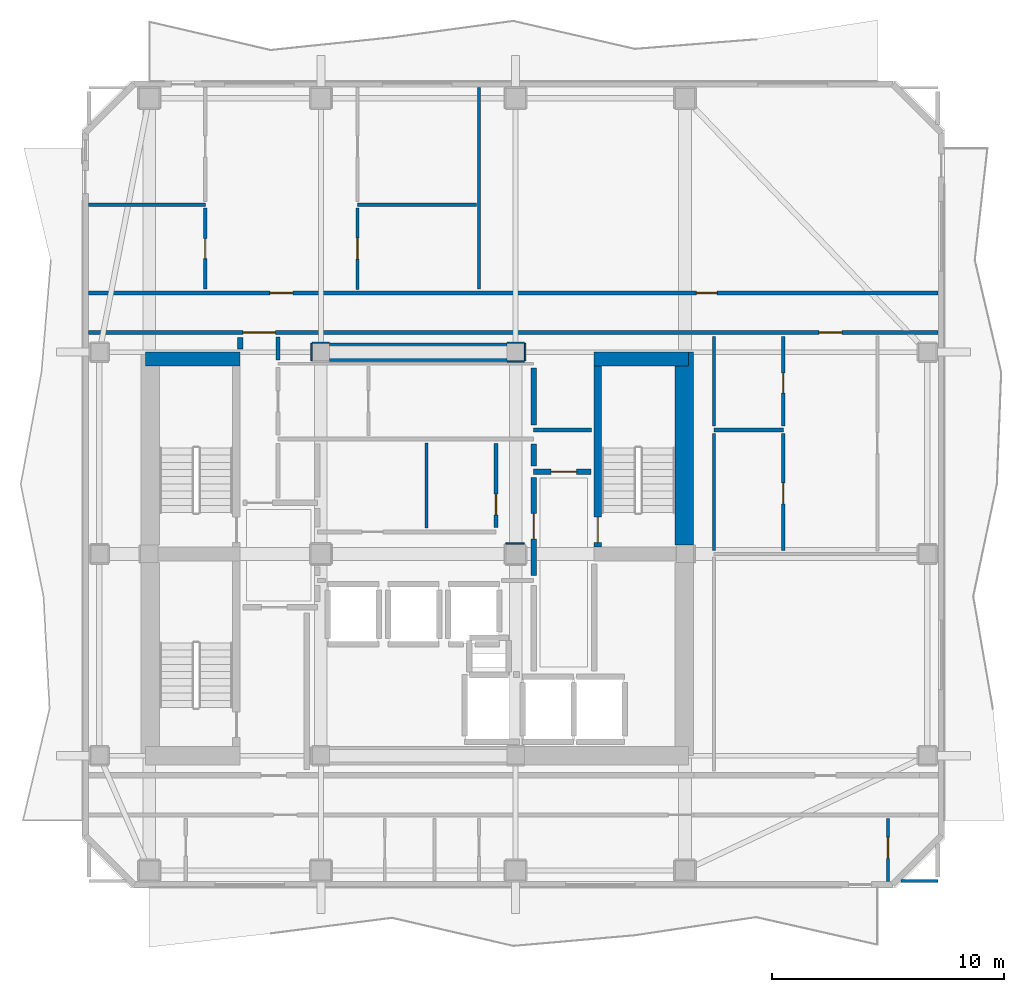
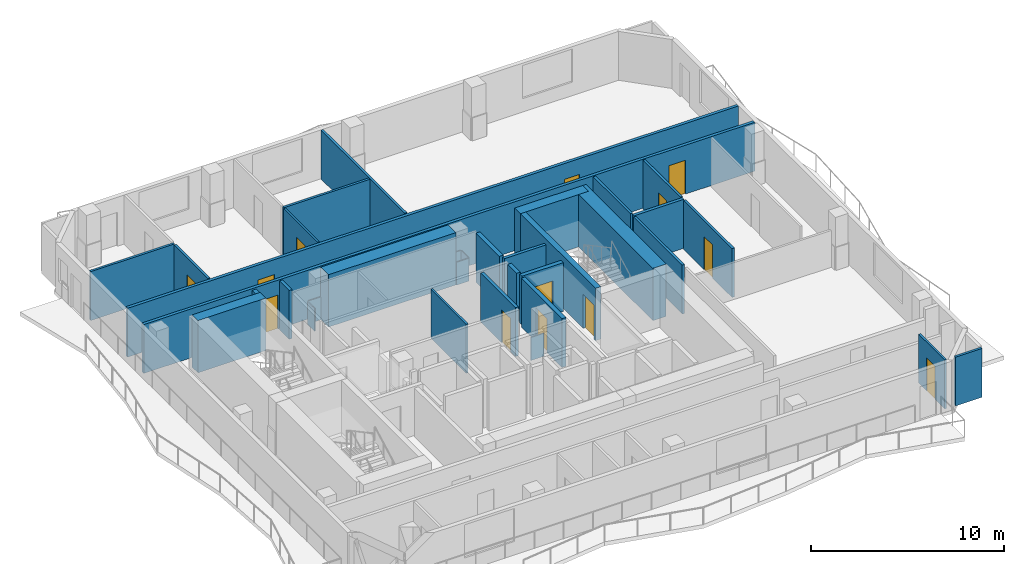
# One storey, part 4 of 9: 34 walls, 13 doors, 13 openings.
"""IFC4 building model written with IfcOpenShell, lengths in metres."""

from ifc_helpers import new_model, si_unit, direction, frame, frame_2d, origin, place, context, subcontext, project, spatial, rectangle, extrude, material, layer, layer_set, type_object, element, fill, save


model = new_model("IFC4")

# Units and contexts
model_context = context("Model", 3, precision=1e-05, world=origin(), true_north=direction((0.0, 1.0)))
body_context = subcontext(model_context, "Body", "Model", "MODEL_VIEW")
ifc_project = project(units=[si_unit("LENGTHUNIT", "METRE"), si_unit("AREAUNIT", "SQUARE_METRE"), si_unit("VOLUMEUNIT", "CUBIC_METRE"), si_unit("PLANEANGLEUNIT", "RADIAN"), si_unit("MASSUNIT", "GRAM", prefix="KILO")], contexts=[model_context])

# Site, building, storey
site_placement = place(None, origin())
site = spatial("IfcSite", under=ifc_project, at=site_placement, CompositionType="ELEMENT")
building_placement = place(site_placement, origin())
building = spatial("IfcBuilding", under=site, at=building_placement, Name="Solanera Arch Residences", CompositionType="ELEMENT")
storey_placement = place(building_placement, frame((0.0, 0.0, 241.239990234375)))
storey = spatial("IfcBuildingStorey", under=building, at=storey_placement, Name="L70", CompositionType="ELEMENT", Elevation=241.239990234375)

# Walls
ifc_material_1 = material(Name="Fire-Rated Gypsum Stud Partition", Category="gypsum")
ifc_layer_1 = layer(ifc_material_1, 0.06005859375)
ifc_layer_set_1 = layer_set([ifc_layer_1], Name="Fire-Rated Gypsum Stud Partition")
wall_type_1 = type_object("IfcWallType", Name="Column Acoustic Furring Wall 60", PredefinedType="PARTITIONING", material=ifc_layer_set_1)
wall_1_placement = place(storey_placement, frame((20.425048828125, 39.806884765625, 0.0), z_axis=(0.0, 0.0, 1.0), x_axis=(1.0, 0.0, 0.0)))
element("IfcWall", 1, at=wall_1_placement, inside=storey, type_object=wall_type_1, Name="L70 Column Furring 3N", PredefinedType="PARTITIONING", context=body_context, shape_type="SweptSolid", body=[
    extrude(rectangle(XDim=0.741943359375, YDim=0.06005859375, at=frame_2d((0.37109375, 0.0))), origin(), (0.0, 0.0, 1.0), 1.449951171875),
])
wall_2_placement = place(storey_placement, frame((20.39306640625, 39.02490234375, 0.0), z_axis=(0.0, 0.0, 1.0), x_axis=(0.0, 1.0, 0.0)))
element("IfcWall", 2, at=wall_2_placement, inside=storey, type_object=wall_type_1, Name="L70 Column Furring 3W", PredefinedType="PARTITIONING", context=body_context, shape_type="SweptSolid", body=[
    extrude(rectangle(XDim=0.75, YDim=0.06005859375, at=frame_2d((0.375, 0.0))), origin(), (0.0, 0.0, 1.0), 1.449951171875),
])
for number, where, z_axis, x_axis, name in (
    (3, (28.8330078125, 38.992919921875, 0.0), (0.0, 0.0, 1.0), (1.0, 0.0, 0.0), "L70 Column Furring 4S"),
    (4, (28.8330078125, 39.806884765625, 0.0), (0.0, 0.0, 1.0), (1.0, 0.0, 0.0), "L70 Column Furring 4N"),
):
    element("IfcWall", number, at=place(storey_placement, frame(where, z_axis=z_axis, x_axis=x_axis)), inside=storey, type_object=wall_type_1, Name=name, PredefinedType="PARTITIONING", context=body_context, shape_type="SweptSolid", body=[
        extrude(rectangle(XDim=0.741943359375, YDim=0.06005859375, at=frame_2d((0.37109375, 0.0))), origin(), (0.0, 0.0, 1.0), 1.449951171875),
    ])
wall_3_placement = place(storey_placement, frame((29.60693359375, 39.02490234375, 0.0), z_axis=(0.0, 0.0, 1.0), x_axis=(0.0, 1.0, 0.0)))
element("IfcWall", 5, at=wall_3_placement, inside=storey, type_object=wall_type_1, Name="L70 Column Furring 4E", PredefinedType="PARTITIONING", context=body_context, shape_type="SweptSolid", body=[
    extrude(rectangle(XDim=0.75, YDim=0.06005859375, at=frame_2d((0.375, 0.0))), origin(), (0.0, 0.0, 1.0), 1.449951171875),
])
wall_4_placement = place(storey_placement, frame((28.77490234375, 31.156982421875, 0.0), z_axis=(0.0, 0.0, 1.0), x_axis=(1.0, 0.0, 0.0)))
element("IfcWall", 6, at=wall_4_placement, inside=storey, type_object=wall_type_1, Name="L70 Column Furring 8N", PredefinedType="PARTITIONING", context=body_context, shape_type="SweptSolid", body=[
    extrude(rectangle(XDim=0.794189453125, YDim=0.06005859375, at=frame_2d((0.39697265625, 0.0))), origin(), (0.0, 0.0, 1.0), 1.449951171875),
])

# Wall, opening, door
ifc_material_2 = material(Name="Concrete C40/50 (f'c = 45 MPa)", Category="concrete")
ifc_layer_2 = layer(ifc_material_2, 0.320068359375)
ifc_layer_set_2 = layer_set([ifc_layer_2], Name="Concrete C40/50 (f'c = 45 MPa)")
wall_type_2 = type_object("IfcWallType", Name="Core Shear Wall CW-320", PredefinedType="SHEAR", material=ifc_layer_set_2)
wall_5_placement = place(storey_placement, frame((32.739990234375, 31.0, 0.0), z_axis=(0.0, 0.0, 1.0), x_axis=(0.0, 1.0, 0.0)))
wall_5 = element("IfcWall", 7, at=wall_5_placement, inside=storey, type_object=wall_type_2, Name="L70 Stair ST-T2 West Shear Wall", PredefinedType="SHEAR", context=body_context, shape_type="SweptSolid", body=[
    extrude(rectangle(XDim=7.800048828125, YDim=0.320068359375, at=frame_2d((3.89990234375, 0.0))), origin(), (0.0, 0.0, 1.0), 3.320068359375),
])
opening_1_placement = place(wall_5_placement, frame((0.18994140625, 0.0, 0.0)))
opening_1 = element("IfcOpeningElement", 8, at=opening_1_placement, cuts=wall_5, Name="Opening DF-01", PredefinedType="OPENING", context=body_context, shape_type="SweptSolid", body=[
    extrude(rectangle(XDim=1.10009765625, YDim=2.14990234375, at=frame_2d((0.550048828125, 1.074951171875))), frame((0.0, 0.169921875, 0.0), z_axis=(0.0, -1.0, 0.0), x_axis=(1.0, 0.0, 0.0)), (0.0, 0.0, 1.0), 0.3401),
])
ifc_material_3 = material(Name="Fire-Rated Architectural Hardwood", Category="wood")
door_type_1 = type_object("IfcDoorType", Name="Stair Exit Fire Door DF-01", OperationType="NOTDEFINED", PredefinedType="DOOR", material=ifc_material_3)
door_1_placement = place(opening_1_placement, origin())
door_1 = element("IfcDoor", 9, at=door_1_placement, inside=storey, type_object=door_type_1, Name="DR-L70-STAIR-ST-T2", OperationType="SINGLE_SWING_RIGHT", OverallHeight=2.14990234375, OverallWidth=1.10009765625, PredefinedType="DOOR", context=body_context, shape_type="SweptSolid", body=[
    extrude(rectangle(XDim=1.10009765625, YDim=2.14990234375, at=frame_2d((0.550048828125, 1.074951171875))), frame((0.0, 0.02490234375, 0.0), z_axis=(0.0, -1.0, 0.0), x_axis=(1.0, 0.0, 0.0)), (0.0, 0.0, 1.0), 0.050048828125),
])
fill(opening_1, door_1)

# Walls
ifc_material_4 = material(Name="Concrete C40/50 (f'c = 45 MPa)", Category="concrete")
ifc_layer_3 = layer(ifc_material_4, 0.60009765625)
ifc_layer_set_3 = layer_set([ifc_layer_3], Name="Concrete C40/50 (f'c = 45 MPa)")
wall_type_3 = type_object("IfcWallType", Name="Core Shear Wall CW-600", PredefinedType="SHEAR", material=ifc_layer_set_3)
wall_6_placement = place(storey_placement, frame((13.239990234375, 39.10009765625, 0.0), z_axis=(0.0, 0.0, 1.0), x_axis=(1.0, 0.0, 0.0)))
element("IfcWall", 10, at=wall_6_placement, inside=storey, type_object=wall_type_3, Name="L70 North-West Core Shear Wall", PredefinedType="SHEAR", context=body_context, shape_type="SweptSolid", body=[
    extrude(rectangle(XDim=4.080078125, YDim=0.60009765625, at=frame_2d((2.0400390625, 0.0))), origin(), (0.0, 0.0, 1.0), 3.320068359375),
])
wall_7_placement = place(storey_placement, frame((32.580078125, 39.10009765625, 0.0), z_axis=(0.0, 0.0, 1.0), x_axis=(1.0, 0.0, 0.0)))
element("IfcWall", 11, at=wall_7_placement, inside=storey, type_object=wall_type_3, Name="L70 North-East Core Shear Wall", PredefinedType="SHEAR", context=body_context, shape_type="SweptSolid", body=[
    extrude(rectangle(XDim=4.079833984375, YDim=0.60009765625, at=frame_2d((2.0400390625, 0.0))), origin(), (0.0, 0.0, 1.0), 3.320068359375),
])
ifc_material_5 = material(Name="Concrete C40/50 (f'c = 45 MPa)", Category="concrete")
ifc_layer_4 = layer(ifc_material_5, 0.800048828125)
ifc_layer_set_4 = layer_set([ifc_layer_4], Name="Concrete C40/50 (f'c = 45 MPa)")
wall_type_4 = type_object("IfcWallType", Name="Core Shear Wall CW-800", PredefinedType="SHEAR", material=ifc_layer_set_4)
wall_8_placement = place(storey_placement, frame((36.4599609375, 31.080078125, 0.0), z_axis=(0.0, 0.0, 1.0), x_axis=(0.0, 1.0, 0.0)))
element("IfcWall", 12, at=wall_8_placement, inside=storey, type_object=wall_type_4, Name="L70 East Core North Shear Wall", PredefinedType="SHEAR", context=body_context, shape_type="SweptSolid", body=[
    extrude(rectangle(XDim=8.31982421875, YDim=0.800048828125, at=frame_2d((4.159912109375, 0.0))), origin(), (0.0, 0.0, 1.0), 3.320068359375),
])
wall_9_placement = place(storey_placement, frame((21.179931640625, 39.39990234375, 0.0), z_axis=(0.0, 0.0, 1.0), x_axis=(1.0, 0.0, 0.0)))
element("IfcWall", 13, at=wall_9_placement, inside=storey, type_object=wall_type_4, Name="L70 Central North Core Shear Wall", PredefinedType="SHEAR", context=body_context, shape_type="SweptSolid", body=[
    extrude(rectangle(XDim=7.64013671875, YDim=0.800048828125, at=frame_2d((3.820068359375, 0.0))), origin(), (0.0, 0.0, 1.0), 3.320068359375),
])
ifc_material_6 = material(Name="Autoclaved Aerated Concrete Blockwork", Category="masonry")
ifc_layer_5 = layer(ifc_material_6, 0.179931640625)
ifc_layer_set_5 = layer_set([ifc_layer_5], Name="Autoclaved Aerated Concrete Blockwork")
wall_type_5 = type_object("IfcWallType", Name="Corridor Fire Partition 180", PredefinedType="PARTITIONING", material=ifc_layer_set_5)
wall_10_placement = place(storey_placement, frame((29.97509765625, 36.050048828125, 0.0), z_axis=(0.0, 0.0, 1.0), x_axis=(1.0, 0.0, 0.0)))
element("IfcWall", 14, at=wall_10_placement, inside=storey, type_object=wall_type_5, Name="L70 Interior Partition H10", PredefinedType="PARTITIONING", context=body_context, shape_type="SweptSolid", body=[
    extrude(rectangle(XDim=2.5048828125, YDim=0.179931640625, at=frame_2d((1.25244140625, 0.0))), origin(), (0.0, 0.0, 1.0), 3.10009765625),
])
wall_11_placement = place(storey_placement, frame((37.75, 36.050048828125, 0.0), z_axis=(0.0, 0.0, 1.0), x_axis=(1.0, 0.0, 0.0)))
element("IfcWall", 15, at=wall_11_placement, inside=storey, type_object=wall_type_5, Name="L70 Interior Partition H11", PredefinedType="PARTITIONING", context=body_context, shape_type="SweptSolid", body=[
    extrude(rectangle(XDim=2.991943359375, YDim=0.179931640625, at=frame_2d((1.49609375, 0.0))), origin(), (0.0, 0.0, 1.0), 3.10009765625),
])

# Wall, openings, doors
wall_12_placement = place(storey_placement, frame((10.787109375, 40.25, 0.0), z_axis=(0.0, 0.0, 1.0), x_axis=(1.0, 0.0, 0.0)))
wall_12 = element("IfcWall", 16, at=wall_12_placement, inside=storey, type_object=wall_type_5, Name="L70 Interior Partition H12", PredefinedType="PARTITIONING", context=body_context, shape_type="SweptSolid", body=[
    extrude(rectangle(XDim=36.6259765625, YDim=0.179931640625, at=frame_2d((18.31298828125, 0.0))), origin(), (0.0, 0.0, 1.0), 3.10009765625),
])
opening_2_placement = place(wall_12_placement, frame((6.64794921875, 0.0, 0.0)))
opening_2 = element("IfcOpeningElement", 17, at=opening_2_placement, cuts=wall_12, Name="Opening DF-03", PredefinedType="OPENING", context=body_context, shape_type="SweptSolid", body=[
    extrude(rectangle(XDim=1.39990234375, YDim=2.14990234375, at=frame_2d((0.699951171875, 1.074951171875))), frame((0.0, 0.10009765625, 0.0), z_axis=(0.0, -1.0, 0.0), x_axis=(1.0, 0.0, 0.0)), (0.0, 0.0, 1.0), 0.1999),
])
opening_3_placement = place(wall_12_placement, frame((31.48193359375, 0.0, 0.0)))
opening_3 = element("IfcOpeningElement", 18, at=opening_3_placement, cuts=wall_12, Name="Opening DI-01", PredefinedType="OPENING", context=body_context, shape_type="SweptSolid", body=[
    extrude(rectangle(XDim=1.0, YDim=2.14990234375, at=frame_2d((0.5, 1.074951171875))), frame((0.0, 0.10009765625, 0.0), z_axis=(0.0, -1.0, 0.0), x_axis=(1.0, 0.0, 0.0)), (0.0, 0.0, 1.0), 0.1999),
])
ifc_material_7 = material(Name="Fire-Rated Architectural Hardwood", Category="wood")
door_type_2 = type_object("IfcDoorType", Name="Corridor Smoke Door DF-03", OperationType="NOTDEFINED", PredefinedType="DOOR", material=ifc_material_7)
door_2_placement = place(opening_2_placement, origin())
door_2 = element("IfcDoor", 19, at=door_2_placement, inside=storey, type_object=door_type_2, Name="DR-L70-IN-009", OperationType="SINGLE_SWING_LEFT", OverallHeight=2.14990234375, OverallWidth=1.39990234375, PredefinedType="DOOR", context=body_context, shape_type="SweptSolid", body=[
    extrude(rectangle(XDim=1.39990234375, YDim=2.14990234375, at=frame_2d((0.699951171875, 1.074951171875))), frame((0.0, 0.02490234375, 0.0), z_axis=(0.0, -1.0, 0.0), x_axis=(1.0, 0.0, 0.0)), (0.0, 0.0, 1.0), 0.050048828125),
])
fill(opening_2, door_2)
ifc_material_8 = material(Name="Fire-Rated Architectural Hardwood", Category="wood")
door_type_3 = type_object("IfcDoorType", Name="Unit Entrance Fire Door DI-01", OperationType="NOTDEFINED", PredefinedType="DOOR", material=ifc_material_8)
door_3_placement = place(opening_3_placement, origin())
door_3 = element("IfcDoor", 20, at=door_3_placement, inside=storey, type_object=door_type_3, Name="DR-L70-IN-027", OperationType="SINGLE_SWING_LEFT", OverallHeight=2.14990234375, OverallWidth=1.0, PredefinedType="DOOR", context=body_context, shape_type="SweptSolid", body=[
    extrude(rectangle(XDim=1.0, YDim=2.14990234375, at=frame_2d((0.5, 1.074951171875))), frame((0.0, 0.02490234375, 0.0), z_axis=(0.0, -1.0, 0.0), x_axis=(1.0, 0.0, 0.0)), (0.0, 0.0, 1.0), 0.050048828125),
])
fill(opening_3, door_3)

wall_13_placement = place(storey_placement, frame((10.787109375, 41.949951171875, 0.0), z_axis=(0.0, 0.0, 1.0), x_axis=(1.0, 0.0, 0.0)))
wall_13 = element("IfcWall", 21, at=wall_13_placement, inside=storey, type_object=wall_type_5, Name="L70 Interior Partition H13", PredefinedType="PARTITIONING", context=body_context, shape_type="SweptSolid", body=[
    extrude(rectangle(XDim=36.6259765625, YDim=0.179931640625, at=frame_2d((18.31298828125, 0.0))), origin(), (0.0, 0.0, 1.0), 3.10009765625),
])
opening_4_placement = place(wall_13_placement, frame((7.81103515625, 0.0, 0.0)))
opening_4 = element("IfcOpeningElement", 22, at=opening_4_placement, cuts=wall_13, Name="Opening DI-01", PredefinedType="OPENING", context=body_context, shape_type="SweptSolid", body=[
    extrude(rectangle(XDim=1.0, YDim=2.14990234375, at=frame_2d((0.5, 1.074951171875))), frame((0.0, 0.10009765625, 0.0), z_axis=(0.0, -1.0, 0.0), x_axis=(1.0, 0.0, 0.0)), (0.0, 0.0, 1.0), 0.1999),
])
opening_5_placement = place(wall_13_placement, frame((26.198974609375, 0.0, 0.0)))
opening_5 = element("IfcOpeningElement", 23, at=opening_5_placement, cuts=wall_13, Name="Opening DI-02", PredefinedType="OPENING", context=body_context, shape_type="SweptSolid", body=[
    extrude(rectangle(XDim=0.89990234375, YDim=2.10009765625, at=frame_2d((0.449951171875, 1.050048828125))), frame((0.0, 0.10009765625, 0.0), z_axis=(0.0, -1.0, 0.0), x_axis=(1.0, 0.0, 0.0)), (0.0, 0.0, 1.0), 0.1999),
])
ifc_material_9 = material(Name="Fire-Rated Architectural Hardwood", Category="wood")
door_type_4 = type_object("IfcDoorType", Name="Suite Room Swing Door DI-02", OperationType="NOTDEFINED", PredefinedType="DOOR", material=ifc_material_9)
door_4_placement = place(opening_5_placement, origin())
door_4 = element("IfcDoor", 24, at=door_4_placement, inside=storey, type_object=door_type_4, Name="DR-L70-IN-025", OperationType="SINGLE_SWING_LEFT", OverallHeight=2.10009765625, OverallWidth=0.89990234375, PredefinedType="DOOR", context=body_context, shape_type="SweptSolid", body=[
    extrude(rectangle(XDim=0.89990234375, YDim=2.10009765625, at=frame_2d((0.449951171875, 1.050048828125))), frame((0.0, 0.02490234375, 0.0), z_axis=(0.0, -1.0, 0.0), x_axis=(1.0, 0.0, 0.0)), (0.0, 0.0, 1.0), 0.050048828125),
])
fill(opening_5, door_4)
door_5_placement = place(opening_4_placement, origin())
door_5 = element("IfcDoor", 25, at=door_5_placement, inside=storey, type_object=door_type_3, Name="DR-L70-IN-020", OperationType="SINGLE_SWING_RIGHT", OverallHeight=2.14990234375, OverallWidth=1.0, PredefinedType="DOOR", context=body_context, shape_type="SweptSolid", body=[
    extrude(rectangle(XDim=1.0, YDim=2.14990234375, at=frame_2d((0.5, 1.074951171875))), frame((0.0, 0.02490234375, 0.0), z_axis=(0.0, -1.0, 0.0), x_axis=(1.0, 0.0, 0.0)), (0.0, 0.0, 1.0), 0.050048828125),
])
fill(opening_4, door_5)

# Wall
wall_14_placement = place(storey_placement, frame((18.949951171875, 39.05810546875, 0.0), z_axis=(0.0, 0.0, 1.0), x_axis=(0.0, 1.0, 0.0)))
element("IfcWall", 26, at=wall_14_placement, inside=storey, type_object=wall_type_5, Name="L70 Interior Partition V8 3", PredefinedType="PARTITIONING", context=body_context, shape_type="SweptSolid", body=[
    extrude(rectangle(XDim=1.00390625, YDim=0.179931640625, at=frame_2d((0.501953125, 0.0))), origin(), (0.0, 0.0, 1.0), 3.10009765625),
])

# Wall, opening, door
wall_15_placement = place(storey_placement, frame((28.35009765625, 31.837890625, 0.0), z_axis=(0.0, 0.0, 1.0), x_axis=(0.0, 1.0, 0.0)))
wall_15 = element("IfcWall", 27, at=wall_15_placement, inside=storey, type_object=wall_type_5, Name="L70 Interior Partition V9", PredefinedType="PARTITIONING", context=body_context, shape_type="SweptSolid", body=[
    extrude(rectangle(XDim=3.6240234375, YDim=0.179931640625, at=frame_2d((1.81201171875, 0.0))), origin(), (0.0, 0.0, 1.0), 3.10009765625),
])
opening_6_placement = place(wall_15_placement, frame((0.541015625, 0.0, 0.0)))
opening_6 = element("IfcOpeningElement", 28, at=opening_6_placement, cuts=wall_15, Name="Opening DI-02", PredefinedType="OPENING", context=body_context, shape_type="SweptSolid", body=[
    extrude(rectangle(XDim=0.89990234375, YDim=2.10009765625, at=frame_2d((0.449951171875, 1.050048828125))), frame((0.0, 0.10009765625, 0.0), z_axis=(0.0, -1.0, 0.0), x_axis=(1.0, 0.0, 0.0)), (0.0, 0.0, 1.0), 0.1999),
])
door_6_placement = place(opening_6_placement, origin())
door_6 = element("IfcDoor", 29, at=door_6_placement, inside=storey, type_object=door_type_4, Name="DR-L70-IN-013", OperationType="SINGLE_SWING_LEFT", OverallHeight=2.10009765625, OverallWidth=0.89990234375, PredefinedType="DOOR", context=body_context, shape_type="SweptSolid", body=[
    extrude(rectangle(XDim=0.89990234375, YDim=2.10009765625, at=frame_2d((0.449951171875, 1.050048828125))), frame((0.0, 0.02490234375, 0.0), z_axis=(0.0, -1.0, 0.0), x_axis=(1.0, 0.0, 0.0)), (0.0, 0.0, 1.0), 0.050048828125),
])
fill(opening_6, door_6)

ifc_material_10 = material(Name="Autoclaved Aerated Concrete Blockwork", Category="masonry")
ifc_layer_6 = layer(ifc_material_10, 0.239990234375)
ifc_layer_set_6 = layer_set([ifc_layer_6], Name="Autoclaved Aerated Concrete Blockwork")
wall_type_6 = type_object("IfcWallType", Name="Shaft Wall Fire-Rated 240", PredefinedType="PARTITIONING", material=ifc_layer_set_6)
wall_16_placement = place(storey_placement, frame((29.97509765625, 34.25, 0.0), z_axis=(0.0, 0.0, 1.0), x_axis=(1.0, 0.0, 0.0)))
wall_16 = element("IfcWall", 30, at=wall_16_placement, inside=storey, type_object=wall_type_6, Name="L70 Interior Partition H5", PredefinedType="PARTITIONING", context=body_context, shape_type="SweptSolid", body=[
    extrude(rectangle(XDim=2.474853515625, YDim=0.239990234375, at=frame_2d((1.2373046875, 0.0))), origin(), (0.0, 0.0, 1.0), 3.10009765625),
])
opening_7_placement = place(wall_16_placement, frame((0.751953125, 0.0, 0.0)))
opening_7 = element("IfcOpeningElement", 31, at=opening_7_placement, cuts=wall_16, Name="Opening DF-02", PredefinedType="OPENING", context=body_context, shape_type="SweptSolid", body=[
    extrude(rectangle(XDim=1.10009765625, YDim=2.14990234375, at=frame_2d((0.550048828125, 1.074951171875))), frame((0.0, 0.1298828125, 0.0), z_axis=(0.0, -1.0, 0.0), x_axis=(1.0, 0.0, 0.0)), (0.0, 0.0, 1.0), 0.26),
])
ifc_material_11 = material(Name="Fire-Rated Architectural Hardwood", Category="wood")
door_type_5 = type_object("IfcDoorType", Name="Firefighting Lobby Fire Door DF-02", OperationType="NOTDEFINED", PredefinedType="DOOR", material=ifc_material_11)
door_7_placement = place(opening_7_placement, origin())
door_7 = element("IfcDoor", 32, at=door_7_placement, inside=storey, type_object=door_type_5, Name="DR-L70-IN-007", OperationType="SINGLE_SWING_LEFT", OverallHeight=2.14990234375, OverallWidth=1.10009765625, PredefinedType="DOOR", context=body_context, shape_type="SweptSolid", body=[
    extrude(rectangle(XDim=1.10009765625, YDim=2.14990234375, at=frame_2d((0.550048828125, 1.074951171875))), frame((0.0, 0.02490234375, 0.0), z_axis=(0.0, -1.0, 0.0), x_axis=(1.0, 0.0, 0.0)), (0.0, 0.0, 1.0), 0.050048828125),
])
fill(opening_7, door_7)

# Wall
wall_17_placement = place(storey_placement, frame((17.320068359375, 39.530029296875, 0.0), z_axis=(0.0, 0.0, 1.0), x_axis=(0.0, 1.0, 0.0)))
element("IfcWall", 33, at=wall_17_placement, inside=storey, type_object=wall_type_6, Name="L70 Interior Partition V1", PredefinedType="PARTITIONING", context=body_context, shape_type="SweptSolid", body=[
    extrude(rectangle(XDim=0.501953125, YDim=0.239990234375, at=frame_2d((0.2509765625, 0.0))), origin(), (0.0, 0.0, 1.0), 3.10009765625),
])

# Wall, opening, door
wall_18_placement = place(storey_placement, frame((29.97509765625, 29.76806640625, 0.0), z_axis=(0.0, 0.0, 1.0), x_axis=(0.0, 1.0, 0.0)))
wall_18 = element("IfcWall", 34, at=wall_18_placement, inside=storey, type_object=wall_type_6, Name="L70 Interior Partition V4 2", PredefinedType="PARTITIONING", context=body_context, shape_type="SweptSolid", body=[
    extrude(rectangle(XDim=4.23388671875, YDim=0.239990234375, at=frame_2d((2.116943359375, 0.0))), origin(), (0.0, 0.0, 1.0), 3.10009765625),
])
opening_8_placement = place(wall_18_placement, frame((1.58203125, 0.0, 0.0)))
opening_8 = element("IfcOpeningElement", 35, at=opening_8_placement, cuts=wall_18, Name="Opening DF-02", PredefinedType="OPENING", context=body_context, shape_type="SweptSolid", body=[
    extrude(rectangle(XDim=1.10009765625, YDim=2.14990234375, at=frame_2d((0.550048828125, 1.074951171875))), frame((0.0, 0.1298828125, 0.0), z_axis=(0.0, -1.0, 0.0), x_axis=(1.0, 0.0, 0.0)), (0.0, 0.0, 1.0), 0.26),
])
door_8_placement = place(opening_8_placement, origin())
door_8 = element("IfcDoor", 36, at=door_8_placement, inside=storey, type_object=door_type_5, Name="DR-L70-IN-006", OperationType="SINGLE_SWING_RIGHT", OverallHeight=2.14990234375, OverallWidth=1.10009765625, PredefinedType="DOOR", context=body_context, shape_type="SweptSolid", body=[
    extrude(rectangle(XDim=1.10009765625, YDim=2.14990234375, at=frame_2d((0.550048828125, 1.074951171875))), frame((0.0, 0.02490234375, 0.0), z_axis=(0.0, -1.0, 0.0), x_axis=(1.0, 0.0, 0.0)), (0.0, 0.0, 1.0), 0.050048828125),
])
fill(opening_8, door_8)

# Walls
wall_19_placement = place(storey_placement, frame((29.97509765625, 34.498046875, 0.0), z_axis=(0.0, 0.0, 1.0), x_axis=(0.0, 1.0, 0.0)))
element("IfcWall", 37, at=wall_19_placement, inside=storey, type_object=wall_type_6, Name="L70 Interior Partition V4 3", PredefinedType="PARTITIONING", context=body_context, shape_type="SweptSolid", body=[
    extrude(rectangle(XDim=0.933837890625, YDim=0.239990234375, at=frame_2d((0.466796875, 0.0))), origin(), (0.0, 0.0, 1.0), 3.10009765625),
])
wall_20_placement = place(storey_placement, frame((29.97509765625, 36.26806640625, 0.0), z_axis=(0.0, 0.0, 1.0), x_axis=(0.0, 1.0, 0.0)))
element("IfcWall", 38, at=wall_20_placement, inside=storey, type_object=wall_type_6, Name="L70 Interior Partition V4 4", PredefinedType="PARTITIONING", context=body_context, shape_type="SweptSolid", body=[
    extrude(rectangle(XDim=2.44384765625, YDim=0.239990234375, at=frame_2d((1.221923828125, 0.0))), origin(), (0.0, 0.0, 1.0), 3.10009765625),
])

# Wall, opening, door
ifc_material_12 = material(Name="Fire-Rated Gypsum Stud Partition", Category="gypsum")
ifc_layer_7 = layer(ifc_material_12, 0.1201171875)
ifc_layer_set_7 = layer_set([ifc_layer_7], Name="Fire-Rated Gypsum Stud Partition")
wall_type_7 = type_object("IfcWallType", Name="Unit Drywall Partition 120", PredefinedType="PARTITIONING", material=ifc_layer_set_7)
wall_21_placement = place(storey_placement, frame((22.3798828125, 42.10791015625, 0.0), z_axis=(0.0, 0.0, 1.0), x_axis=(0.0, 1.0, 0.0)))
wall_21 = element("IfcWall", 39, at=wall_21_placement, inside=storey, type_object=wall_type_7, Name="L70 Interior Partition V18 1", PredefinedType="PARTITIONING", context=body_context, shape_type="SweptSolid", body=[
    extrude(rectangle(XDim=3.510009765625, YDim=0.1201171875, at=frame_2d((1.7548828125, 0.0))), origin(), (0.0, 0.0, 1.0), 3.10009765625),
])
opening_9_placement = place(wall_21_placement, frame((1.30810546875, 0.0, 0.0)))
opening_9 = element("IfcOpeningElement", 40, at=opening_9_placement, cuts=wall_21, Name="Opening DI-02", PredefinedType="OPENING", context=body_context, shape_type="SweptSolid", body=[
    extrude(rectangle(XDim=0.89990234375, YDim=2.10009765625, at=frame_2d((0.449951171875, 1.050048828125))), frame((0.0, 0.070068359375, 0.0), z_axis=(0.0, -1.0, 0.0), x_axis=(1.0, 0.0, 0.0)), (0.0, 0.0, 1.0), 0.1401),
])
door_9_placement = place(opening_9_placement, origin())
door_9 = element("IfcDoor", 41, at=door_9_placement, inside=storey, type_object=door_type_4, Name="DR-L70-IN-023", OperationType="SINGLE_SWING_LEFT", OverallHeight=2.10009765625, OverallWidth=0.89990234375, PredefinedType="DOOR", context=body_context, shape_type="SweptSolid", body=[
    extrude(rectangle(XDim=0.89990234375, YDim=2.10009765625, at=frame_2d((0.449951171875, 1.050048828125))), frame((0.0, 0.02490234375, 0.0), z_axis=(0.0, -1.0, 0.0), x_axis=(1.0, 0.0, 0.0)), (0.0, 0.0, 1.0), 0.050048828125),
])
fill(opening_9, door_9)

# Wall
wall_22_placement = place(storey_placement, frame((25.35009765625, 31.80810546875, 0.0), z_axis=(0.0, 0.0, 1.0), x_axis=(0.0, 1.0, 0.0)))
element("IfcWall", 42, at=wall_22_placement, inside=storey, type_object=wall_type_7, Name="L70 Interior Partition V21", PredefinedType="PARTITIONING", context=body_context, shape_type="SweptSolid", body=[
    extrude(rectangle(XDim=3.683837890625, YDim=0.1201171875, at=frame_2d((1.841796875, 0.0))), origin(), (0.0, 0.0, 1.0), 3.10009765625),
])

# Wall, opening, door
wall_23_placement = place(storey_placement, frame((45.25, 16.5869140625, 0.0), z_axis=(0.0, 0.0, 1.0), x_axis=(0.0, 1.0, 0.0)))
wall_23 = element("IfcWall", 43, at=wall_23_placement, inside=storey, type_object=wall_type_7, Name="L70 Interior Partition V23", PredefinedType="PARTITIONING", context=body_context, shape_type="SweptSolid", body=[
    extrude(rectangle(XDim=2.705078125, YDim=0.1201171875, at=frame_2d((1.3525390625, 0.0))), origin(), (0.0, 0.0, 1.0), 3.10009765625),
])
opening_10_placement = place(wall_23_placement, frame((0.988037109375, 0.0, 0.0)))
opening_10 = element("IfcOpeningElement", 44, at=opening_10_placement, cuts=wall_23, Name="Opening DI-02", PredefinedType="OPENING", context=body_context, shape_type="SweptSolid", body=[
    extrude(rectangle(XDim=0.89990234375, YDim=2.10009765625, at=frame_2d((0.449951171875, 1.050048828125))), frame((0.0, 0.070068359375, 0.0), z_axis=(0.0, -1.0, 0.0), x_axis=(1.0, 0.0, 0.0)), (0.0, 0.0, 1.0), 0.1401),
])
door_10_placement = place(opening_10_placement, origin())
door_10 = element("IfcDoor", 45, at=door_10_placement, inside=storey, type_object=door_type_4, Name="DR-L70-IN-019", OperationType="SINGLE_SWING_LEFT", OverallHeight=2.10009765625, OverallWidth=0.89990234375, PredefinedType="DOOR", context=body_context, shape_type="SweptSolid", body=[
    extrude(rectangle(XDim=0.89990234375, YDim=2.10009765625, at=frame_2d((0.449951171875, 1.050048828125))), frame((0.0, 0.02490234375, 0.0), z_axis=(0.0, -1.0, 0.0), x_axis=(1.0, 0.0, 0.0)), (0.0, 0.0, 1.0), 0.050048828125),
])
fill(opening_10, door_10)

# Walls
ifc_material_13 = material(Name="Autoclaved Aerated Concrete Blockwork", Category="masonry")
ifc_layer_8 = layer(ifc_material_13, 0.139892578125)
ifc_layer_set_8 = layer_set([ifc_layer_8], Name="Autoclaved Aerated Concrete Blockwork")
wall_type_8 = type_object("IfcWallType", Name="Wet-Room Partition 140", PredefinedType="PARTITIONING", material=ifc_layer_set_8)
wall_24_placement = place(storey_placement, frame((45.81103515625, 16.60009765625, 0.0), z_axis=(0.0, 0.0, 1.0), x_axis=(1.0, 0.0, 0.0)))
element("IfcWall", 46, at=wall_24_placement, inside=storey, type_object=wall_type_8, Name="L70 Interior Partition H14 2", PredefinedType="PARTITIONING", context=body_context, shape_type="SweptSolid", body=[
    extrude(rectangle(XDim=1.5888671875, YDim=0.139892578125, at=frame_2d((0.79443359375, 0.0))), origin(), (0.0, 0.0, 1.0), 3.10009765625),
])
wall_25_placement = place(storey_placement, frame((10.787109375, 45.756103515625, 0.0), z_axis=(0.0, 0.0, 1.0), x_axis=(1.0, 0.0, 0.0)))
element("IfcWall", 47, at=wall_25_placement, inside=storey, type_object=wall_type_8, Name="L70 Interior Partition H15", PredefinedType="PARTITIONING", context=body_context, shape_type="SweptSolid", body=[
    extrude(rectangle(XDim=5.02880859375, YDim=0.139892578125, at=frame_2d((2.514404296875, 0.0))), origin(), (0.0, 0.0, 1.0), 3.10009765625),
])
wall_26_placement = place(storey_placement, frame((22.3798828125, 45.756103515625, 0.0), z_axis=(0.0, 0.0, 1.0), x_axis=(1.0, 0.0, 0.0)))
element("IfcWall", 48, at=wall_26_placement, inside=storey, type_object=wall_type_8, Name="L70 Interior Partition H16", PredefinedType="PARTITIONING", context=body_context, shape_type="SweptSolid", body=[
    extrude(rectangle(XDim=5.14013671875, YDim=0.139892578125, at=frame_2d((2.570068359375, 0.0))), origin(), (0.0, 0.0, 1.0), 3.10009765625),
])

# Wall, opening, door
wall_27_placement = place(storey_placement, frame((15.81591796875, 42.117919921875, 0.0), z_axis=(0.0, 0.0, 1.0), x_axis=(0.0, 1.0, 0.0)))
wall_27 = element("IfcWall", 49, at=wall_27_placement, inside=storey, type_object=wall_type_8, Name="L70 Interior Partition V12 1", PredefinedType="PARTITIONING", context=body_context, shape_type="SweptSolid", body=[
    extrude(rectangle(XDim=3.489990234375, YDim=0.139892578125, at=frame_2d((1.7451171875, 0.0))), origin(), (0.0, 0.0, 1.0), 3.10009765625),
])
opening_11_placement = place(wall_27_placement, frame((1.318115234375, 0.0, 0.0)))
opening_11 = element("IfcOpeningElement", 50, at=opening_11_placement, cuts=wall_27, Name="Opening DI-05", PredefinedType="OPENING", context=body_context, shape_type="SweptSolid", body=[
    extrude(rectangle(XDim=0.860107421875, YDim=2.02001953125, at=frame_2d((0.43017578125, 1.010009765625))), frame((0.0, 0.079833984375, 0.0), z_axis=(0.0, -1.0, 0.0), x_axis=(1.0, 0.0, 0.0)), (0.0, 0.0, 1.0), 0.1599),
])
ifc_material_14 = material(Name="Fire-Rated Architectural Hardwood", Category="wood")
door_type_6 = type_object("IfcDoorType", Name="Bathroom Swing Door DI-05", OperationType="NOTDEFINED", PredefinedType="DOOR", material=ifc_material_14)
door_11_placement = place(opening_11_placement, origin())
door_11 = element("IfcDoor", 51, at=door_11_placement, inside=storey, type_object=door_type_6, Name="DR-L70-IN-021", OperationType="SINGLE_SWING_LEFT", OverallHeight=2.02001953125, OverallWidth=0.860107421875, PredefinedType="DOOR", context=body_context, shape_type="SweptSolid", body=[
    extrude(rectangle(XDim=0.860107421875, YDim=2.02001953125, at=frame_2d((0.43017578125, 1.010009765625))), frame((0.0, 0.02490234375, 0.0), z_axis=(0.0, -1.0, 0.0), x_axis=(1.0, 0.0, 0.0)), (0.0, 0.0, 1.0), 0.050048828125),
])
fill(opening_11, door_11)

# Walls
wall_28_placement = place(storey_placement, frame((27.6201171875, 42.117919921875, 0.0), z_axis=(0.0, 0.0, 1.0), x_axis=(0.0, 1.0, 0.0)))
element("IfcWall", 52, at=wall_28_placement, inside=storey, type_object=wall_type_8, Name="L70 Interior Partition V15", PredefinedType="PARTITIONING", context=body_context, shape_type="SweptSolid", body=[
    extrude(rectangle(XDim=8.695068359375, YDim=0.139892578125, at=frame_2d((4.34765625, 0.0))), origin(), (0.0, 0.0, 1.0), 3.10009765625),
])
wall_29_placement = place(storey_placement, frame((37.75, 30.837890625, 0.0), z_axis=(0.0, 0.0, 1.0), x_axis=(0.0, 1.0, 0.0)))
element("IfcWall", 53, at=wall_29_placement, inside=storey, type_object=wall_type_8, Name="L70 Interior Partition V16 2", PredefinedType="PARTITIONING", context=body_context, shape_type="SweptSolid", body=[
    extrude(rectangle(XDim=5.044189453125, YDim=0.139892578125, at=frame_2d((2.52197265625, 0.0))), origin(), (0.0, 0.0, 1.0), 3.10009765625),
])
wall_30_placement = place(storey_placement, frame((37.75, 36.218017578125, 0.0), z_axis=(0.0, 0.0, 1.0), x_axis=(0.0, 1.0, 0.0)))
element("IfcWall", 54, at=wall_30_placement, inside=storey, type_object=wall_type_8, Name="L70 Interior Partition V16 3", PredefinedType="PARTITIONING", context=body_context, shape_type="SweptSolid", body=[
    extrude(rectangle(XDim=3.864013671875, YDim=0.139892578125, at=frame_2d((1.93212890625, 0.0))), origin(), (0.0, 0.0, 1.0), 3.10009765625),
])

# Wall, opening, door
wall_31_placement = place(storey_placement, frame((40.741943359375, 30.837890625, 0.0), z_axis=(0.0, 0.0, 1.0), x_axis=(0.0, 1.0, 0.0)))
wall_31 = element("IfcWall", 55, at=wall_31_placement, inside=storey, type_object=wall_type_8, Name="L70 Interior Partition V17 1", PredefinedType="PARTITIONING", context=body_context, shape_type="SweptSolid", body=[
    extrude(rectangle(XDim=5.044189453125, YDim=0.139892578125, at=frame_2d((2.52197265625, 0.0))), origin(), (0.0, 0.0, 1.0), 3.10009765625),
])
opening_12_placement = place(wall_31_placement, frame((2.02490234375, 0.0, 0.0)))
opening_12 = element("IfcOpeningElement", 56, at=opening_12_placement, cuts=wall_31, Name="Opening DI-03", PredefinedType="OPENING", context=body_context, shape_type="SweptSolid", body=[
    extrude(rectangle(XDim=0.89990234375, YDim=2.10009765625, at=frame_2d((0.449951171875, 1.050048828125))), frame((0.0, 0.079833984375, 0.0), z_axis=(0.0, -1.0, 0.0), x_axis=(1.0, 0.0, 0.0)), (0.0, 0.0, 1.0), 0.1599),
])
ifc_material_15 = material(Name="Fire-Rated Architectural Hardwood", Category="wood")
door_type_7 = type_object("IfcDoorType", Name="Bedroom Swing Door DI-03", OperationType="NOTDEFINED", PredefinedType="DOOR", material=ifc_material_15)
door_12_placement = place(opening_12_placement, origin())
door_12 = element("IfcDoor", 57, at=door_12_placement, inside=storey, type_object=door_type_7, Name="DR-L70-IN-029", OperationType="SINGLE_SWING_LEFT", OverallHeight=2.10009765625, OverallWidth=0.89990234375, PredefinedType="DOOR", context=body_context, shape_type="SweptSolid", body=[
    extrude(rectangle(XDim=0.89990234375, YDim=2.10009765625, at=frame_2d((0.449951171875, 1.050048828125))), frame((0.0, 0.02490234375, 0.0), z_axis=(0.0, -1.0, 0.0), x_axis=(1.0, 0.0, 0.0)), (0.0, 0.0, 1.0), 0.050048828125),
])
fill(opening_12, door_12)

wall_32_placement = place(storey_placement, frame((40.741943359375, 36.218017578125, 0.0), z_axis=(0.0, 0.0, 1.0), x_axis=(0.0, 1.0, 0.0)))
wall_32 = element("IfcWall", 58, at=wall_32_placement, inside=storey, type_object=wall_type_8, Name="L70 Interior Partition V17 2", PredefinedType="PARTITIONING", context=body_context, shape_type="SweptSolid", body=[
    extrude(rectangle(XDim=3.864013671875, YDim=0.139892578125, at=frame_2d((1.93212890625, 0.0))), origin(), (0.0, 0.0, 1.0), 3.10009765625),
])
opening_13_placement = place(wall_32_placement, frame((1.4140625, 0.0, 0.0)))
opening_13 = element("IfcOpeningElement", 59, at=opening_13_placement, cuts=wall_32, Name="Opening DI-05", PredefinedType="OPENING", context=body_context, shape_type="SweptSolid", body=[
    extrude(rectangle(XDim=0.860107421875, YDim=2.02001953125, at=frame_2d((0.43017578125, 1.010009765625))), frame((0.0, 0.079833984375, 0.0), z_axis=(0.0, -1.0, 0.0), x_axis=(1.0, 0.0, 0.0)), (0.0, 0.0, 1.0), 0.1599),
])
door_13_placement = place(opening_13_placement, origin())
door_13 = element("IfcDoor", 60, at=door_13_placement, inside=storey, type_object=door_type_6, Name="DR-L70-IN-028", OperationType="SINGLE_SWING_RIGHT", OverallHeight=2.02001953125, OverallWidth=0.860107421875, PredefinedType="DOOR", context=body_context, shape_type="SweptSolid", body=[
    extrude(rectangle(XDim=0.860107421875, YDim=2.02001953125, at=frame_2d((0.43017578125, 1.010009765625))), frame((0.0, 0.02490234375, 0.0), z_axis=(0.0, -1.0, 0.0), x_axis=(1.0, 0.0, 0.0)), (0.0, 0.0, 1.0), 0.050048828125),
])
fill(opening_13, door_13)

save(model, "model.ifc")
